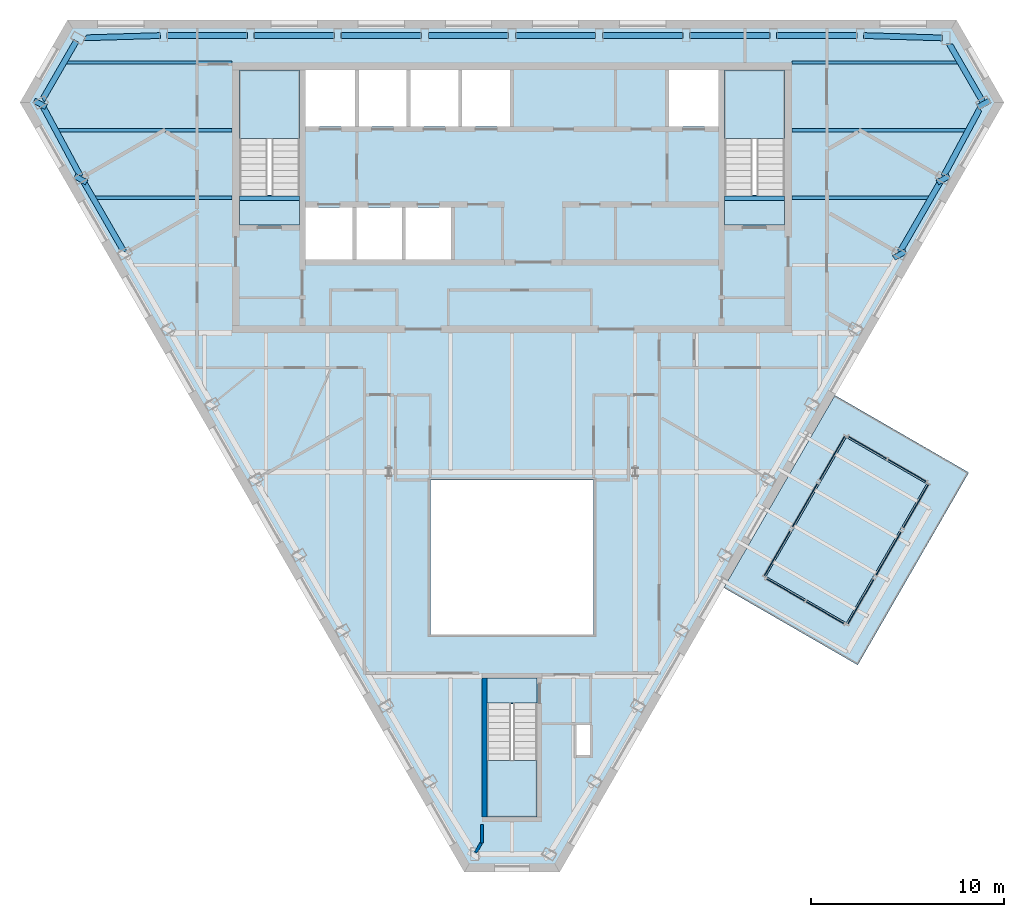
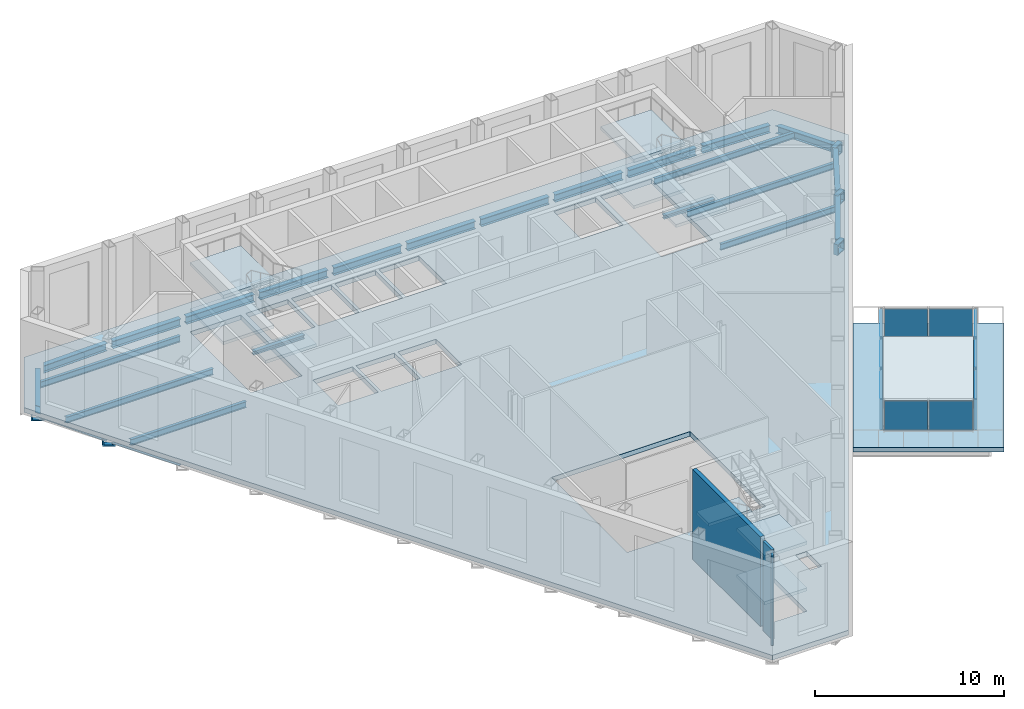
# One storey, part 4 of 11: 29 beams, 12 slabs, 10 plates, 3 walls, 11 elements without a shape of their own.
"""IFC4 building model written with IfcOpenShell, lengths in metres."""

from ifc_helpers import new_model, si_unit, direction, frame, frame_2d, origin, origin_2d, place, context, subcontext, project, spatial, polyline, rectangle, hollow_rectangle, i_section, outline, extrude, clip, halfspace, material, layer, layer_set, material_profile, profile_set, type_object, element, aggregate, save


model = new_model("IFC4")

# Units and contexts
model_context = context("Model", 3, precision=1e-05, world=origin(), true_north=direction((0.0, 1.0)))
body_context = subcontext(model_context, "Body", "Model", "MODEL_VIEW")
ifc_project = project(units=[si_unit("LENGTHUNIT", "METRE"), si_unit("AREAUNIT", "SQUARE_METRE"), si_unit("VOLUMEUNIT", "CUBIC_METRE"), si_unit("PLANEANGLEUNIT", "RADIAN"), si_unit("MASSUNIT", "GRAM", prefix="KILO")], contexts=[model_context])

# Site, building, storey
site_placement = place(None, origin())
site = spatial("IfcSite", under=ifc_project, at=site_placement, CompositionType="ELEMENT")
building_placement = place(site_placement, origin())
building = spatial("IfcBuilding", under=site, at=building_placement, Name="Njiva Tower", CompositionType="ELEMENT")
storey_placement = place(building_placement, frame((0.0, 0.0, 298.2)))
storey = spatial("IfcBuildingStorey", under=building, at=storey_placement, Name="L68", CompositionType="ELEMENT", Elevation=298.2)

# Beams
ifc_material_1 = material(Name="Steel S355 J2", Category="steel")
ifc_material_profile_1 = material_profile(ifc_material_1, hollow_rectangle(XDim=0.7, YDim=0.7, WallThickness=0.08, at=origin_2d()), Name="BOX 700x700x80")
ifc_profile_set_1 = profile_set([ifc_material_profile_1], Name="Steel S355 J2")
beam_type_1 = type_object("IfcBeamType", Name="B19 Column jog beam BOX 700x700x80", PredefinedType="BEAM", material=ifc_profile_set_1)
beam_1_placement = place(storey_placement, frame((-24.492, 15.739, -0.65), z_axis=(0.478599986999, 0.878033058856, 0.0), x_axis=(-0.878033058856, 0.478599986999, 0.0)))
element("IfcBeam", 1, at=beam_1_placement, inside=storey, type_object=beam_type_1, Name="Column jog beam S22-B013", PredefinedType="BEAM", context=body_context, shape_type="SweptSolid", body=[
    extrude(hollow_rectangle(XDim=0.7, YDim=0.7, WallThickness=0.08, at=origin_2d()), origin(), (0.0, 0.0, 1.0), 0.2779),
])
beam_2_placement = place(storey_placement, frame((-22.392, 11.836, -0.65), z_axis=(0.481367054824, 0.876519114754, 0.0), x_axis=(-0.876519114754, 0.481367054824, 0.0)))
element("IfcBeam", 2, at=beam_2_placement, inside=storey, type_object=beam_type_1, Name="Column jog beam S22-B014", PredefinedType="BEAM", context=body_context, shape_type="SweptSolid", body=[
    extrude(hollow_rectangle(XDim=0.7, YDim=0.7, WallThickness=0.08, at=origin_2d()), origin(), (0.0, 0.0, 1.0), 0.2784),
])
beam_3_placement = place(storey_placement, frame((20.139, 7.934, -0.65), z_axis=(-0.485950811309, 0.873986160639, 0.0), x_axis=(-0.873986160639, -0.485950811309, 0.0)))
element("IfcBeam", 3, at=beam_3_placement, inside=storey, type_object=beam_type_1, Name="Column jog beam S22-B034", PredefinedType="BEAM", context=body_context, shape_type="SweptSolid", body=[
    extrude(hollow_rectangle(XDim=0.7, YDim=0.7, WallThickness=0.08, at=origin_2d()), origin(), (0.0, 0.0, 1.0), 0.2757),
])
beam_4_placement = place(storey_placement, frame((22.392, 11.836, -0.65), z_axis=(-0.481367054824, 0.876519114754, 0.0), x_axis=(-0.876519114754, -0.481367054824, 0.0)))
element("IfcBeam", 4, at=beam_4_placement, inside=storey, type_object=beam_type_1, Name="Column jog beam S22-B035", PredefinedType="BEAM", context=body_context, shape_type="SweptSolid", body=[
    extrude(hollow_rectangle(XDim=0.7, YDim=0.7, WallThickness=0.08, at=origin_2d()), origin(), (0.0, 0.0, 1.0), 0.2784),
])
beam_5_placement = place(storey_placement, frame((24.492, 15.739, -0.65), z_axis=(-0.478599986999, 0.878033058856, 0.0), x_axis=(-0.878033058856, -0.478599986999, 0.0)))
element("IfcBeam", 5, at=beam_5_placement, inside=storey, type_object=beam_type_1, Name="Column jog beam S22-B036", PredefinedType="BEAM", context=body_context, shape_type="SweptSolid", body=[
    extrude(hollow_rectangle(XDim=0.7, YDim=0.7, WallThickness=0.08, at=origin_2d()), origin(), (0.0, 0.0, 1.0), 0.2779),
])
ifc_material_profile_2 = material_profile(ifc_material_1, i_section(OverallWidth=0.3, OverallDepth=0.49, WebThickness=0.012, FlangeThickness=0.023, at=origin_2d()), Name="HEA 500")
ifc_profile_set_2 = profile_set([ifc_material_profile_2], Name="Steel S355 J2")
beam_type_2 = type_object("IfcBeamType", Name="B48 Short-span spandrel beam HEA 500", PredefinedType="SPANDREL", material=ifc_profile_set_2)
beam_6_placement = place(storey_placement, frame((22.277, 19.272, -0.545), z_axis=(-0.999544102072, 0.030192515853, 0.0), x_axis=(-0.030192515853, -0.999544102072, 0.0)))
element("IfcBeam", 6, at=beam_6_placement, inside=storey, type_object=beam_type_2, Name="Short-span spandrel beam S22-B090", PredefinedType="SPANDREL", context=body_context, shape_type="SweptSolid", body=[
    extrude(i_section(OverallWidth=0.3, OverallDepth=0.49, WebThickness=0.012, FlangeThickness=0.023, at=origin_2d()), origin(), (0.0, 0.0, 1.0), 4.0739),
])
beam_7_placement = place(storey_placement, frame((17.851, 19.4, -0.545), z_axis=(-1.0, 0.0, 0.0), x_axis=(0.0, -1.0, 0.0)))
element("IfcBeam", 7, at=beam_7_placement, inside=storey, type_object=beam_type_2, Name="Short-span spandrel beam S22-B087", PredefinedType="SPANDREL", context=body_context, shape_type="SweptSolid", body=[
    extrude(i_section(OverallWidth=0.3, OverallDepth=0.49, WebThickness=0.012, FlangeThickness=0.023, at=origin_2d()), origin(), (0.0, 0.0, 1.0), 4.156),
])
beam_8_placement = place(storey_placement, frame((13.345, 19.4, -0.545), z_axis=(-1.0, 0.0, 0.0), x_axis=(0.0, -1.0, 0.0)))
element("IfcBeam", 8, at=beam_8_placement, inside=storey, type_object=beam_type_2, Name="Short-span spandrel beam S22-B084", PredefinedType="SPANDREL", context=body_context, shape_type="SweptSolid", body=[
    extrude(i_section(OverallWidth=0.3, OverallDepth=0.49, WebThickness=0.012, FlangeThickness=0.023, at=origin_2d()), origin(), (0.0, 0.0, 1.0), 4.157),
])
beam_9_placement = place(storey_placement, frame((8.838, 19.4, -0.545), z_axis=(-1.0, 0.0, 0.0), x_axis=(0.0, -1.0, 0.0)))
element("IfcBeam", 9, at=beam_9_placement, inside=storey, type_object=beam_type_2, Name="Short-span spandrel beam S22-B081", PredefinedType="SPANDREL", context=body_context, shape_type="SweptSolid", body=[
    extrude(i_section(OverallWidth=0.3, OverallDepth=0.49, WebThickness=0.012, FlangeThickness=0.023, at=origin_2d()), origin(), (0.0, 0.0, 1.0), 4.156),
])
for number, where, z_axis, x_axis, name in (
    (10, (4.332, 19.4, -0.545), (-1.0, 0.0, 0.0), (0.0, -1.0, 0.0), "Short-span spandrel beam S22-B078"),
    (11, (-0.175, 19.4, -0.545), (-1.0, 0.0, 0.0), (0.0, -1.0, 0.0), "Short-span spandrel beam S22-B075"),
):
    element("IfcBeam", number, at=place(storey_placement, frame(where, z_axis=z_axis, x_axis=x_axis)), inside=storey, type_object=beam_type_2, Name=name, PredefinedType="SPANDREL", context=body_context, shape_type="SweptSolid", body=[
        extrude(i_section(OverallWidth=0.3, OverallDepth=0.49, WebThickness=0.012, FlangeThickness=0.023, at=origin_2d()), origin(), (0.0, 0.0, 1.0), 4.157),
    ])
beam_10_placement = place(storey_placement, frame((-4.682, 19.4, -0.545), z_axis=(-1.0, 0.0, 0.0), x_axis=(0.0, -1.0, 0.0)))
element("IfcBeam", 12, at=beam_10_placement, inside=storey, type_object=beam_type_2, Name="Short-span spandrel beam S22-B072", PredefinedType="SPANDREL", context=body_context, shape_type="SweptSolid", body=[
    extrude(i_section(OverallWidth=0.3, OverallDepth=0.49, WebThickness=0.012, FlangeThickness=0.023, at=origin_2d()), origin(), (0.0, 0.0, 1.0), 4.156),
])
beam_11_placement = place(storey_placement, frame((-9.188, 19.4, -0.545), z_axis=(-1.0, 0.0, 0.0), x_axis=(0.0, -1.0, 0.0)))
element("IfcBeam", 13, at=beam_11_placement, inside=storey, type_object=beam_type_2, Name="Short-span spandrel beam S22-B069", PredefinedType="SPANDREL", context=body_context, shape_type="SweptSolid", body=[
    extrude(i_section(OverallWidth=0.3, OverallDepth=0.49, WebThickness=0.012, FlangeThickness=0.023, at=origin_2d()), origin(), (0.0, 0.0, 1.0), 4.157),
])
beam_12_placement = place(storey_placement, frame((-13.695, 19.4, -0.545), z_axis=(-1.0, 0.0, 0.0), x_axis=(0.0, -1.0, 0.0)))
element("IfcBeam", 14, at=beam_12_placement, inside=storey, type_object=beam_type_2, Name="Short-span spandrel beam S22-B066", PredefinedType="SPANDREL", context=body_context, shape_type="SweptSolid", body=[
    extrude(i_section(OverallWidth=0.3, OverallDepth=0.49, WebThickness=0.012, FlangeThickness=0.023, at=origin_2d()), origin(), (0.0, 0.0, 1.0), 4.156),
])
beam_13_placement = place(storey_placement, frame((-18.205, 19.395, -0.545), z_axis=(-0.999549842252, -0.030001880847, 0.0), x_axis=(0.030001880847, -0.999549842252, 0.0)))
element("IfcBeam", 15, at=beam_13_placement, inside=storey, type_object=beam_type_2, Name="Short-span spandrel beam S22-B064", PredefinedType="SPANDREL", context=body_context, shape_type="Clipping", body=[
    clip(extrude(i_section(OverallWidth=0.3, OverallDepth=0.49, WebThickness=0.012, FlangeThickness=0.023, at=origin_2d()), origin(), (0.0, 0.0, 1.0), 4.0128), halfspace(frame((-0.0259, 0.0, 3.884), z_axis=(-0.525755357257, 0.0, 0.850635823555), x_axis=(0.0, 1.0, 0.0)), False)),
])
beam_14_placement = place(storey_placement, frame((-22.547, 19.118, -0.545), z_axis=(-0.500053189495, -0.865994692638, 0.0), x_axis=(0.865994692638, -0.500053189495, 0.0)))
element("IfcBeam", 16, at=beam_14_placement, inside=storey, type_object=beam_type_2, Name="Short-span spandrel beam S22-B061", PredefinedType="SPANDREL", context=body_context, shape_type="Clipping", body=[
    clip(extrude(i_section(OverallWidth=0.3, OverallDepth=0.49, WebThickness=0.012, FlangeThickness=0.023, at=origin_2d()), origin(), (0.0, 0.0, 1.0), 3.5966), halfspace(frame((-0.025, 0.0, 3.4753), z_axis=(-0.4999487989, 0.0, 0.866054962735), x_axis=(0.0, 1.0, 0.0)), False)),
])
beam_15_placement = place(storey_placement, frame((-24.264, 15.701, -0.545), z_axis=(0.473616836806, -0.880730998599, 0.0), x_axis=(0.880730998599, 0.473616836806, 0.0)))
element("IfcBeam", 17, at=beam_15_placement, inside=storey, type_object=beam_type_2, Name="Short-span spandrel beam S22-B062", PredefinedType="SPANDREL", context=body_context, shape_type="SweptSolid", body=[
    extrude(i_section(OverallWidth=0.3, OverallDepth=0.49, WebThickness=0.012, FlangeThickness=0.023, at=origin_2d()), origin(), (0.0, 0.0, 1.0), 4.075),
])
for number, where, z_axis, x_axis, name in (
    (18, (-22.159, 11.805, -0.545), (0.499916824138, -0.866073420066, 0.0), (0.866073420066, 0.499916824138, 0.0), "Short-span spandrel beam S22-B063"),
    (19, (20.081, 8.205, -0.545), (0.499916824138, 0.866073420066, 0.0), (-0.866073420066, 0.499916824138, 0.0), "Short-span spandrel beam S22-B091"),
):
    element("IfcBeam", number, at=place(storey_placement, frame(where, z_axis=z_axis, x_axis=x_axis)), inside=storey, type_object=beam_type_2, Name=name, PredefinedType="SPANDREL", context=body_context, shape_type="SweptSolid", body=[
        extrude(i_section(OverallWidth=0.3, OverallDepth=0.49, WebThickness=0.012, FlangeThickness=0.023, at=origin_2d()), origin(), (0.0, 0.0, 1.0), 4.1567),
    ])
beam_16_placement = place(storey_placement, frame((22.334, 12.112, -0.545), z_axis=(0.473560119532, 0.8807614962, 0.0), x_axis=(-0.8807614962, 0.473560119532, 0.0)))
element("IfcBeam", 20, at=beam_16_placement, inside=storey, type_object=beam_type_2, Name="Short-span spandrel beam S22-B092", PredefinedType="SPANDREL", context=body_context, shape_type="Clipping", body=[
    clip(extrude(i_section(OverallWidth=0.3, OverallDepth=0.49, WebThickness=0.012, FlangeThickness=0.023, at=origin_2d()), origin(), (0.0, 0.0, 1.0), 4.0914), halfspace(frame((-0.0266, 0.0, 3.9621), z_axis=(-0.52598372514, 0.0, 0.850494633074), x_axis=(0.0, 1.0, 0.0)), False)),
])
beam_17_placement = place(storey_placement, frame((24.379, 15.945, -0.545), z_axis=(-0.500053189495, 0.865994692638, 0.0), x_axis=(-0.865994692638, -0.500053189495, 0.0)))
element("IfcBeam", 21, at=beam_17_placement, inside=storey, type_object=beam_type_2, Name="Short-span spandrel beam S22-B093", PredefinedType="SPANDREL", context=body_context, shape_type="Clipping", body=[
    clip(extrude(i_section(OverallWidth=0.3, OverallDepth=0.49, WebThickness=0.012, FlangeThickness=0.023, at=origin_2d()), origin(), (0.0, 0.0, 1.0), 3.5966), halfspace(frame((-0.0254, 0.0, 3.475), z_axis=(-0.500053189495, 0.0, 0.865994692638), x_axis=(0.0, 1.0, 0.0)), False)),
])
ifc_material_profile_3 = material_profile(ifc_material_1, i_section(OverallWidth=0.18, OverallDepth=0.4, WebThickness=0.0086, FlangeThickness=0.0135, at=origin_2d()), Name="IPE 400")
ifc_profile_set_3 = profile_set([ifc_material_profile_3], Name="Steel S355 J2")
beam_type_3 = type_object("IfcBeamType", Name="B51 Floor beam to the core IPE 400", PredefinedType="BEAM", material=ifc_profile_set_3)
beam_18_placement = place(storey_placement, frame((-21.651, 11.0, -0.5), z_axis=(1.0, 0.0, 0.0), x_axis=(0.0, 1.0, 0.0)))
element("IfcBeam", 22, at=beam_18_placement, inside=storey, type_object=beam_type_3, Name="Floor beam to the core S22-B003", PredefinedType="BEAM", context=body_context, shape_type="Clipping", body=[
    clip(extrude(i_section(OverallWidth=0.18, OverallDepth=0.4, WebThickness=0.0086, FlangeThickness=0.0135, at=origin_2d()), origin(), (0.0, 0.0, 1.0), 7.151), halfspace(frame((-0.025, 0.0, 0.0863), z_axis=(-0.499998009787, 0.0, -0.866026552831), x_axis=(0.0, -1.0, 0.0)), False)),
])
beam_19_placement = place(storey_placement, frame((14.5, 11.0, -0.5), z_axis=(1.0, 0.0, 0.0), x_axis=(0.0, 1.0, 0.0)))
element("IfcBeam", 23, at=beam_19_placement, inside=storey, type_object=beam_type_3, Name="Floor beam to the core S22-B006", PredefinedType="BEAM", context=body_context, shape_type="Clipping", body=[
    clip(extrude(i_section(OverallWidth=0.18, OverallDepth=0.4, WebThickness=0.0086, FlangeThickness=0.0135, at=origin_2d()), origin(), (0.0, 0.0, 1.0), 7.151), halfspace(frame((-0.025, 0.0, 7.0647), z_axis=(-0.499998009787, 0.0, 0.866026552831), x_axis=(0.0, 1.0, 0.0)), False)),
])
beam_20_placement = place(storey_placement, frame((-23.572, 14.5, -0.5), z_axis=(1.0, 0.0, 0.0), x_axis=(0.0, 1.0, 0.0)))
element("IfcBeam", 24, at=beam_20_placement, inside=storey, type_object=beam_type_3, Name="Floor beam to the core S22-B001", PredefinedType="BEAM", context=body_context, shape_type="Clipping", body=[
    clip(extrude(i_section(OverallWidth=0.18, OverallDepth=0.4, WebThickness=0.0086, FlangeThickness=0.0135, at=origin_2d()), origin(), (0.0, 0.0, 1.0), 9.072), halfspace(frame((-0.0237, 0.0, 0.0803), z_axis=(-0.473769423091, 0.0, -0.880648927634), x_axis=(0.0, -1.0, 0.0)), False)),
])
beam_21_placement = place(storey_placement, frame((14.5, 14.5, -0.5), z_axis=(1.0, 0.0, 0.0), x_axis=(0.0, 1.0, 0.0)))
element("IfcBeam", 25, at=beam_21_placement, inside=storey, type_object=beam_type_3, Name="Floor beam to the core S22-B007", PredefinedType="BEAM", context=body_context, shape_type="Clipping", body=[
    clip(extrude(i_section(OverallWidth=0.18, OverallDepth=0.4, WebThickness=0.0086, FlangeThickness=0.0135, at=origin_2d()), origin(), (0.0, 0.0, 1.0), 9.072), halfspace(frame((-0.0237, 0.0, 8.9917), z_axis=(-0.473769423091, 0.0, 0.880648927634), x_axis=(0.0, 1.0, 0.0)), False)),
])
beam_22_placement = place(storey_placement, frame((-23.149, 18.0, -0.5), z_axis=(1.0, 0.0, 0.0), x_axis=(0.0, 1.0, 0.0)))
element("IfcBeam", 26, at=beam_22_placement, inside=storey, type_object=beam_type_3, Name="Floor beam to the core S22-B002", PredefinedType="BEAM", context=body_context, shape_type="Clipping", body=[
    clip(extrude(i_section(OverallWidth=0.18, OverallDepth=0.4, WebThickness=0.0086, FlangeThickness=0.0135, at=origin_2d()), origin(), (0.0, 0.0, 1.0), 8.649), halfspace(frame((0.025, 0.0, 0.0862), z_axis=(0.499998009787, 0.0, -0.866026552831), x_axis=(0.0, -1.0, 0.0)), False)),
])
beam_23_placement = place(storey_placement, frame((14.5, 18.0, -0.5), z_axis=(1.0, 0.0, 0.0), x_axis=(0.0, 1.0, 0.0)))
element("IfcBeam", 27, at=beam_23_placement, inside=storey, type_object=beam_type_3, Name="Floor beam to the core S22-B008", PredefinedType="BEAM", context=body_context, shape_type="Clipping", body=[
    clip(extrude(i_section(OverallWidth=0.18, OverallDepth=0.4, WebThickness=0.0086, FlangeThickness=0.0135, at=origin_2d()), origin(), (0.0, 0.0, 1.0), 8.649), halfspace(frame((0.025, 0.0, 8.5628), z_axis=(0.499998009787, 0.0, 0.866026552831), x_axis=(0.0, 1.0, 0.0)), False)),
])
ifc_material_profile_4 = material_profile(ifc_material_1, i_section(OverallWidth=0.24, OverallDepth=0.23, WebThickness=0.0075, FlangeThickness=0.012, at=origin_2d()), Name="HEA240")
ifc_profile_set_4 = profile_set([ifc_material_profile_4], Name="Steel S355 J2")
beam_type_4 = type_object("IfcBeamType", Name="FL8 Landing beam HEA 240", PredefinedType="BEAM", material=ifc_profile_set_4)
for number, where, z_axis, x_axis, name in (
    (28, (-14.106, 10.98, 2.685), (1.0, 0.0, 0.0), (0.0, 1.0, 0.0), "Landing beam"),
    (29, (10.994, 10.98, 2.685), (1.0, 0.0, 0.0), (0.0, 1.0, 0.0), "Landing beam"),
):
    element("IfcBeam", number, at=place(storey_placement, frame(where, z_axis=z_axis, x_axis=x_axis)), inside=storey, type_object=beam_type_4, Name=name, PredefinedType="BEAM", context=body_context, shape_type="SweptSolid", body=[
        extrude(i_section(OverallWidth=0.24, OverallDepth=0.23, WebThickness=0.0075, FlangeThickness=0.012, at=origin_2d()), origin(), (0.0, 0.0, 1.0), 3.112),
    ])

# Curtain wall, plate
ifc_material_2 = material(Name="Glazed curtain wall", Category="glass")
ifc_layer_1 = layer(ifc_material_2, 0.2)
ifc_layer_set_1 = layer_set([ifc_layer_1], Name="Glazed curtain wall")
curtain_wall_type = type_object("IfcCurtainWallType", Name="CW4 Pool glazing wall", PredefinedType="NOTDEFINED", material=ifc_layer_set_1)
curtain_wall_1_placement = place(storey_placement, origin())
curtain_wall_1 = element("IfcCurtainWall", 30, at=curtain_wall_1_placement, inside=storey, type_object=curtain_wall_type, Name="Pool glazing front 1", PredefinedType="NOTDEFINED")
ifc_material_3 = material(Name="Laminated structural glass", Category="glass")
ifc_layer_2 = layer(ifc_material_3, 0.05)
ifc_layer_set_2 = layer_set([ifc_layer_2], Name="Laminated structural glass")
plate_type = type_object("IfcPlateType", Name="CW4-P Pool glass panel 50", PredefinedType="CURTAIN_PANEL", material=ifc_layer_set_2)
plate_1_placement = place(storey_placement, frame((13.7224, -7.4083, 0.08), z_axis=(0.0, 0.0, 1.0), x_axis=(0.499999999834, 0.86602540388, 0.0)))
plate_1 = element("IfcPlate", 31, at=plate_1_placement, type_object=plate_type, Name="CW4-1 panel 1.1", PredefinedType="CURTAIN_PANEL", context=body_context, shape_type="SweptSolid", body=[
    extrude(rectangle(XDim=2.6733, YDim=0.05, at=origin_2d()), origin(), (0.0, 0.0, 1.0), 1.89),
])
aggregate(curtain_wall_1, [plate_1])

curtain_wall_2_placement = place(storey_placement, origin())
curtain_wall_2 = element("IfcCurtainWall", 32, at=curtain_wall_2_placement, inside=storey, type_object=curtain_wall_type, Name="Pool glazing front 2", PredefinedType="NOTDEFINED")
plate_2_placement = place(storey_placement, frame((15.159, -4.92, 0.08), z_axis=(0.0, 0.0, 1.0), x_axis=(0.500000000212, 0.866025403662, 0.0)))
plate_2 = element("IfcPlate", 33, at=plate_2_placement, type_object=plate_type, Name="CW4-2 panel 1.1", PredefinedType="CURTAIN_PANEL", context=body_context, shape_type="SweptSolid", body=[
    extrude(rectangle(XDim=2.5933, YDim=0.05, at=origin_2d()), origin(), (0.0, 0.0, 1.0), 1.89),
])
aggregate(curtain_wall_2, [plate_2])

curtain_wall_3_placement = place(storey_placement, origin())
curtain_wall_3 = element("IfcCurtainWall", 34, at=curtain_wall_3_placement, inside=storey, type_object=curtain_wall_type, Name="Pool glazing front 3", PredefinedType="NOTDEFINED")
plate_3_placement = place(storey_placement, frame((16.5757, -2.4662, 0.08), z_axis=(0.0, 0.0, 1.0), x_axis=(0.500000000212, 0.866025403662, 0.0)))
plate_3 = element("IfcPlate", 35, at=plate_3_placement, type_object=plate_type, Name="CW4-3 panel 1.1", PredefinedType="CURTAIN_PANEL", context=body_context, shape_type="SweptSolid", body=[
    extrude(rectangle(XDim=2.5933, YDim=0.05, at=origin_2d()), origin(), (0.0, 0.0, 1.0), 1.89),
])
aggregate(curtain_wall_3, [plate_3])

curtain_wall_4_placement = place(storey_placement, origin())
curtain_wall_4 = element("IfcCurtainWall", 36, at=curtain_wall_4_placement, inside=storey, type_object=curtain_wall_type, Name="Pool glazing outer 1", PredefinedType="NOTDEFINED")
plate_4_placement = place(storey_placement, frame((18.0525, -9.9083, 0.08), z_axis=(0.0, 0.0, 1.0), x_axis=(0.499999999834, 0.86602540388, 0.0)))
plate_4 = element("IfcPlate", 37, at=plate_4_placement, type_object=plate_type, Name="CW4-4 panel 1.1", PredefinedType="CURTAIN_PANEL", context=body_context, shape_type="SweptSolid", body=[
    extrude(rectangle(XDim=2.6733, YDim=0.05, at=origin_2d()), origin(), (0.0, 0.0, 1.0), 1.89),
])
aggregate(curtain_wall_4, [plate_4])

curtain_wall_5_placement = place(storey_placement, origin())
curtain_wall_5 = element("IfcCurtainWall", 38, at=curtain_wall_5_placement, inside=storey, type_object=curtain_wall_type, Name="Pool glazing outer 2", PredefinedType="NOTDEFINED")
plate_5_placement = place(storey_placement, frame((19.4892, -7.42, 0.08), z_axis=(0.0, 0.0, 1.0), x_axis=(0.500000000212, 0.866025403662, 0.0)))
plate_5 = element("IfcPlate", 39, at=plate_5_placement, type_object=plate_type, Name="CW4-5 panel 1.1", PredefinedType="CURTAIN_PANEL", context=body_context, shape_type="SweptSolid", body=[
    extrude(rectangle(XDim=2.5933, YDim=0.05, at=origin_2d()), origin(), (0.0, 0.0, 1.0), 1.89),
])
aggregate(curtain_wall_5, [plate_5])

curtain_wall_6_placement = place(storey_placement, origin())
curtain_wall_6 = element("IfcCurtainWall", 40, at=curtain_wall_6_placement, inside=storey, type_object=curtain_wall_type, Name="Pool glazing outer 3", PredefinedType="NOTDEFINED")
plate_6_placement = place(storey_placement, frame((20.9058, -4.9662, 0.08), z_axis=(0.0, 0.0, 1.0), x_axis=(0.500000000212, 0.866025403662, 0.0)))
plate_6 = element("IfcPlate", 41, at=plate_6_placement, type_object=plate_type, Name="CW4-6 panel 1.1", PredefinedType="CURTAIN_PANEL", context=body_context, shape_type="SweptSolid", body=[
    extrude(rectangle(XDim=2.5933, YDim=0.05, at=origin_2d()), origin(), (0.0, 0.0, 1.0), 1.89),
])
aggregate(curtain_wall_6, [plate_6])

# Curtain wall, plates
curtain_wall_7_placement = place(storey_placement, origin())
curtain_wall_7 = element("IfcCurtainWall", 42, at=curtain_wall_7_placement, inside=storey, type_object=curtain_wall_type, Name="Pool glazing west end", PredefinedType="NOTDEFINED")
plate_7_placement = place(storey_placement, frame((14.1572, -9.2952, 0.08), z_axis=(0.0, 0.0, 1.0), x_axis=(0.866025403776, -0.500000000015, 0.0)))
plate_7 = element("IfcPlate", 43, at=plate_7_placement, type_object=plate_type, Name="CW4-7 panel 1.1", PredefinedType="CURTAIN_PANEL", context=body_context, shape_type="SweptSolid", body=[
    extrude(rectangle(XDim=2.28, YDim=0.05, at=origin_2d()), origin(), (0.0, 0.0, 1.0), 1.89),
])
plate_8_placement = place(storey_placement, frame((16.201, -10.4752, 0.08), z_axis=(0.0, 0.0, 1.0), x_axis=(0.866025403776, -0.500000000015, 0.0)))
plate_8 = element("IfcPlate", 44, at=plate_8_placement, type_object=plate_type, Name="CW4-7 panel 2.1", PredefinedType="CURTAIN_PANEL", context=body_context, shape_type="SweptSolid", body=[
    extrude(rectangle(XDim=2.28, YDim=0.05, at=origin_2d()), origin(), (0.0, 0.0, 1.0), 1.89),
])
aggregate(curtain_wall_7, [plate_7, plate_8])

curtain_wall_8_placement = place(storey_placement, origin())
curtain_wall_8 = element("IfcCurtainWall", 45, at=curtain_wall_8_placement, inside=storey, type_object=curtain_wall_type, Name="Pool glazing east end", PredefinedType="NOTDEFINED")
plate_9_placement = place(storey_placement, frame((18.4072, -1.934, 0.08), z_axis=(0.0, 0.0, 1.0), x_axis=(0.866025403776, -0.500000000015, 0.0)))
plate_9 = element("IfcPlate", 46, at=plate_9_placement, type_object=plate_type, Name="CW4-8 panel 1.1", PredefinedType="CURTAIN_PANEL", context=body_context, shape_type="SweptSolid", body=[
    extrude(rectangle(XDim=2.28, YDim=0.05, at=origin_2d()), origin(), (0.0, 0.0, 1.0), 1.89),
])
plate_10_placement = place(storey_placement, frame((20.451, -3.114, 0.08), z_axis=(0.0, 0.0, 1.0), x_axis=(0.866025403776, -0.500000000015, 0.0)))
plate_10 = element("IfcPlate", 47, at=plate_10_placement, type_object=plate_type, Name="CW4-8 panel 2.1", PredefinedType="CURTAIN_PANEL", context=body_context, shape_type="SweptSolid", body=[
    extrude(rectangle(XDim=2.28, YDim=0.05, at=origin_2d()), origin(), (0.0, 0.0, 1.0), 1.89),
])
aggregate(curtain_wall_8, [plate_9, plate_10])

# Stair, slabs
ifc_material_4 = material(Name="Concrete C40/50", Category="concrete")
stair_type_1 = type_object("IfcStairType", Name="ST3 Exit stair 1450", PredefinedType="HALF_TURN_STAIR", material=ifc_material_4)
stair_1_placement = place(storey_placement, origin())
stair_1 = element("IfcStair", 48, at=stair_1_placement, inside=storey, type_object=stair_type_1, Name="Stair A", PredefinedType="DOUBLE_RETURN_STAIR")
ifc_layer_3 = layer(ifc_material_4, 0.2)
ifc_layer_set_3 = layer_set([ifc_layer_3], Name="Concrete C40/50")
slab_type_1 = type_object("IfcSlabType", Name="FL9 Stair landing 200", PredefinedType="LANDING", material=ifc_layer_set_3)
slab_1_placement = place(storey_placement, frame((0.0, 0.0, 1.3)))
slab_1 = element("IfcSlab", 49, at=slab_1_placement, type_object=slab_type_1, Name="ST-A landing 1", PredefinedType="LANDING", context=body_context, shape_type="SweptSolid", body=[
    extrude(outline(polyline([(-14.106, 14.07), (-10.994, 14.07), (-10.994, 17.6), (-14.106, 17.6), (-14.106, 14.07)])), origin(), (0.0, 0.0, 1.0), 0.2),
])
slab_2_placement = place(storey_placement, frame((0.0, 0.0, 2.8)))
slab_2 = element("IfcSlab", 50, at=slab_2_placement, type_object=slab_type_1, Name="ST-A landing 2", PredefinedType="LANDING", context=body_context, shape_type="SweptSolid", body=[
    extrude(outline(polyline([(-14.106, 9.6), (-10.994, 9.6), (-10.994, 11.1), (-14.106, 11.1), (-14.106, 9.6)])), origin(), (0.0, 0.0, 1.0), 0.2),
])
slab_3_placement = place(storey_placement, frame((0.0, 0.0, 4.3)))
slab_3 = element("IfcSlab", 51, at=slab_3_placement, type_object=slab_type_1, Name="ST-A landing 3", PredefinedType="LANDING", context=body_context, shape_type="SweptSolid", body=[
    extrude(outline(polyline([(-14.106, 14.07), (-10.994, 14.07), (-10.994, 17.6), (-14.106, 17.6), (-14.106, 14.07)])), origin(), (0.0, 0.0, 1.0), 0.2),
])
aggregate(stair_1, [slab_1, slab_2, slab_3])

stair_2_placement = place(storey_placement, origin())
stair_2 = element("IfcStair", 52, at=stair_2_placement, inside=storey, type_object=stair_type_1, Name="Stair B", PredefinedType="DOUBLE_RETURN_STAIR")
slab_4_placement = place(storey_placement, frame((0.0, 0.0, 1.3)))
slab_4 = element("IfcSlab", 53, at=slab_4_placement, type_object=slab_type_1, Name="ST-B landing 1", PredefinedType="LANDING", context=body_context, shape_type="SweptSolid", body=[
    extrude(outline(polyline([(10.994, 14.07), (14.106, 14.07), (14.106, 17.6), (10.994, 17.6), (10.994, 14.07)])), origin(), (0.0, 0.0, 1.0), 0.2),
])
slab_5_placement = place(storey_placement, frame((0.0, 0.0, 2.8)))
slab_5 = element("IfcSlab", 54, at=slab_5_placement, type_object=slab_type_1, Name="ST-B landing 2", PredefinedType="LANDING", context=body_context, shape_type="SweptSolid", body=[
    extrude(outline(polyline([(10.994, 9.6), (14.106, 9.6), (14.106, 11.1), (10.994, 11.1), (10.994, 9.6)])), origin(), (0.0, 0.0, 1.0), 0.2),
])
slab_6_placement = place(storey_placement, frame((0.0, 0.0, 4.3)))
slab_6 = element("IfcSlab", 55, at=slab_6_placement, type_object=slab_type_1, Name="ST-B landing 3", PredefinedType="LANDING", context=body_context, shape_type="SweptSolid", body=[
    extrude(outline(polyline([(10.994, 14.07), (14.106, 14.07), (14.106, 17.6), (10.994, 17.6), (10.994, 14.07)])), origin(), (0.0, 0.0, 1.0), 0.2),
])
aggregate(stair_2, [slab_4, slab_5, slab_6])

stair_type_2 = type_object("IfcStairType", Name="ST1 Exit stair 1250", PredefinedType="HALF_TURN_STAIR", material=ifc_material_4)
stair_3_placement = place(storey_placement, origin())
stair_3 = element("IfcStair", 56, at=stair_3_placement, inside=storey, type_object=stair_type_2, Name="Stair C", PredefinedType="DOUBLE_RETURN_STAIR")
slab_7_placement = place(storey_placement, frame((0.0, 0.0, 1.3)))
slab_7 = element("IfcSlab", 57, at=slab_7_placement, type_object=slab_type_1, Name="ST-C landing 1", PredefinedType="LANDING", context=body_context, shape_type="SweptSolid", body=[
    extrude(outline(polyline([(-1.306, -21.05), (1.306, -21.05), (1.306, -18.13), (-1.306, -18.13), (-1.306, -21.05)])), origin(), (0.0, 0.0, 1.0), 0.2),
])
slab_8_placement = place(storey_placement, frame((0.0, 0.0, 2.8)))
slab_8 = element("IfcSlab", 58, at=slab_8_placement, type_object=slab_type_1, Name="ST-C landing 2", PredefinedType="LANDING", context=body_context, shape_type="SweptSolid", body=[
    extrude(outline(polyline([(-1.306, -15.16), (1.306, -15.16), (1.306, -13.85), (-1.306, -13.85), (-1.306, -15.16)])), origin(), (0.0, 0.0, 1.0), 0.2),
])
slab_9_placement = place(storey_placement, frame((0.0, 0.0, 4.3)))
slab_9 = element("IfcSlab", 59, at=slab_9_placement, type_object=slab_type_1, Name="ST-C landing 3", PredefinedType="LANDING", context=body_context, shape_type="SweptSolid", body=[
    extrude(outline(polyline([(-1.306, -21.05), (1.306, -21.05), (1.306, -18.13), (-1.306, -18.13), (-1.306, -21.05)])), origin(), (0.0, 0.0, 1.0), 0.2),
])
aggregate(stair_3, [slab_7, slab_8, slab_9])

# Slabs
ifc_material_5 = material(Name="Concrete C30/37", Category="concrete")
ifc_layer_4 = layer(ifc_material_5, 0.3)
ifc_layer_set_4 = layer_set([ifc_layer_4], Name="Concrete C30/37")
slab_type_2 = type_object("IfcSlabType", Name="SL17 Composite floor slab 300", PredefinedType="FLOOR", material=ifc_layer_set_4)
slab_10_placement = place(storey_placement, frame((0.0, 0.0, -0.3)))
element("IfcSlab", 60, at=slab_10_placement, inside=storey, type_object=slab_type_2, Name="Floor slab L68", PredefinedType="FLOOR", context=body_context, shape_type="SweptSolid", body=[
    extrude(outline(polyline([(25.2052, 15.9305), (2.3351, -23.6817), (-2.3351, -23.6817), (-25.2052, 15.9305), (-22.8701, 19.975), (22.8701, 19.975), (25.2052, 15.9305)]), holes=[polyline([(10.994, 11.13), (14.106, 11.13), (14.106, 17.6), (10.994, 17.6), (10.994, 11.13)]), polyline([(8.125, 14.7), (10.7, 14.7), (10.7, 17.6), (8.125, 17.6), (8.125, 14.7)]), polyline([(4.23, -11.6), (4.23, -3.6), (-4.23, -3.6), (-4.23, -11.6), (4.23, -11.6)]), polyline([(3.35, -17.85), (4.05, -17.85), (4.05, -16.3), (3.35, -16.3), (3.35, -17.85)]), polyline([(-1.306, -21.05), (1.306, -21.05), (1.306, -15.19), (-1.306, -15.19), (-1.306, -21.05)]), polyline([(-2.575, 14.7), (-0.1, 14.7), (-0.1, 17.6), (-2.575, 17.6), (-2.575, 14.7)]), polyline([(-2.775, 14.7), (-2.775, 17.6), (-5.25, 17.6), (-5.25, 14.7), (-2.775, 14.7)]), polyline([(-5.5, 7.8), (-3.15, 7.8), (-3.15, 10.5), (-5.5, 10.5), (-5.5, 7.8)]), polyline([(-7.925, 14.7), (-5.45, 14.7), (-5.45, 17.6), (-7.925, 17.6), (-7.925, 14.7)]), polyline([(-8.05, 7.8), (-5.7, 7.8), (-5.7, 10.5), (-8.05, 10.5), (-8.05, 7.8)]), polyline([(-10.7, 14.7), (-8.125, 14.7), (-8.125, 17.6), (-10.7, 17.6), (-10.7, 14.7)]), polyline([(-8.25, 7.8), (-8.25, 10.5), (-10.7, 10.5), (-10.7, 7.8), (-8.25, 7.8)]), polyline([(-10.994, 11.13), (-10.994, 17.6), (-14.106, 17.6), (-14.106, 11.13), (-10.994, 11.13)])]), origin(), (0.0, 0.0, 1.0), 0.3),
])
ifc_layer_5 = layer(ifc_material_5, 0.3)
ifc_layer_set_5 = layer_set([ifc_layer_5], Name="Concrete C30/37")
slab_type_3 = type_object("IfcSlabType", Name="SL18 Pool deck slab 300", PredefinedType="FLOOR", material=ifc_layer_set_5)
slab_11_placement = place(storey_placement, frame((0.0, 0.0, -0.3)))
element("IfcSlab", 61, at=slab_11_placement, inside=storey, type_object=slab_type_3, Name="Pool deck slab", PredefinedType="FLOOR", context=body_context, shape_type="SweptSolid", body=[
    extrude(outline(polyline([(10.965, -9.1842), (16.715, 0.7751), (23.6432, -3.2249), (17.8932, -13.1842), (10.965, -9.1842)])), origin(), (0.0, 0.0, 1.0), 0.3),
])
ifc_layer_6 = layer(ifc_material_4, 0.25)
ifc_layer_set_6 = layer_set([ifc_layer_6], Name="Concrete C40/50")
slab_type_4 = type_object("IfcSlabType", Name="SL90 Pool shell floor 250", PredefinedType="FLOOR", material=ifc_layer_set_6)
slab_12_placement = place(storey_placement, origin())
element("IfcSlab", 62, at=slab_12_placement, inside=storey, type_object=slab_type_4, Name="Pool shell floor", PredefinedType="FLOOR", context=body_context, shape_type="SweptSolid", body=[
    extrude(outline(polyline([(13.1534, -8.5979), (17.3014, -1.4133), (21.4548, -3.8113), (17.3068, -10.9959), (13.1534, -8.5979)])), origin(), (0.0, 0.0, 1.0), 0.25),
])

# Walls
ifc_material_6 = material(Name="Gypsum board on steel studs", Category="gypsum")
ifc_layer_7 = layer(ifc_material_6, 0.15)
ifc_layer_set_7 = layer_set([ifc_layer_7], Name="Gypsum board on steel studs")
wall_type_1 = type_object("IfcWallType", Name="WT21 Compartment wall 150", PredefinedType="PARTITIONING", material=ifc_layer_set_7)
wall_1_placement = place(storey_placement, frame((-1.877, -22.886, 0.0), z_axis=(0.0, 0.0, 1.0), x_axis=(0.502398975187, 0.864635917442, 0.0)))
element("IfcWall", 63, at=wall_1_placement, inside=storey, type_object=wall_type_1, Name="Partition S22-P020", PredefinedType="PARTITIONING", context=body_context, shape_type="SweptSolid", body=[
    extrude(rectangle(XDim=0.5494, YDim=0.15, at=frame_2d((0.2747, 0.0))), origin(), (0.0, 0.0, 1.0), 5.8),
])
wall_2_placement = place(storey_placement, frame((-1.55, -22.397, 0.0), z_axis=(0.0, 0.0, 1.0), x_axis=(0.0, 1.0, 0.0)))
element("IfcWall", 64, at=wall_2_placement, inside=storey, type_object=wall_type_1, Name="Partition S22-P021", PredefinedType="PARTITIONING", context=body_context, shape_type="SweptSolid", body=[
    extrude(rectangle(XDim=0.947, YDim=0.15, at=frame_2d((0.4735, 0.0))), origin(), (0.0, 0.0, 1.0), 5.8),
])
ifc_layer_8 = layer(ifc_material_4, 0.25)
ifc_layer_set_8 = layer_set([ifc_layer_8], Name="Concrete C40/50")
wall_type_2 = type_object("IfcWallType", Name="WT9 Stair enclosure wall 250", PredefinedType="SHEAR", material=ifc_layer_set_8)
wall_3_placement = place(storey_placement, frame((-1.425, -21.05, 0.0), z_axis=(0.0, 0.0, 1.0), x_axis=(0.0, 1.0, 0.0)))
element("IfcWall", 65, at=wall_3_placement, inside=storey, type_object=wall_type_2, Name="Stair C wall west", PredefinedType="SHEAR", context=body_context, shape_type="SweptSolid", body=[
    extrude(rectangle(XDim=7.2, YDim=0.25, at=frame_2d((3.6, 0.0))), origin(), (0.0, 0.0, 1.0), 5.8),
])

save(model, "model.ifc")
